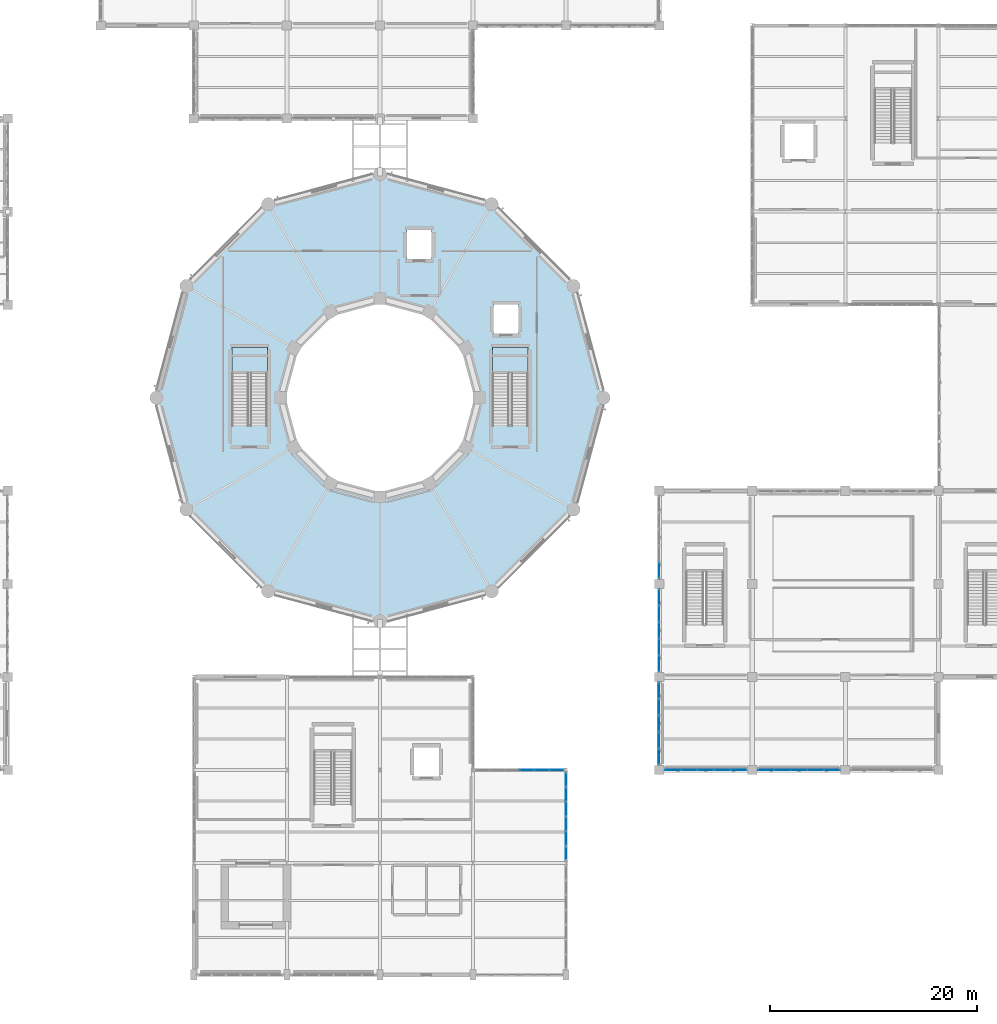
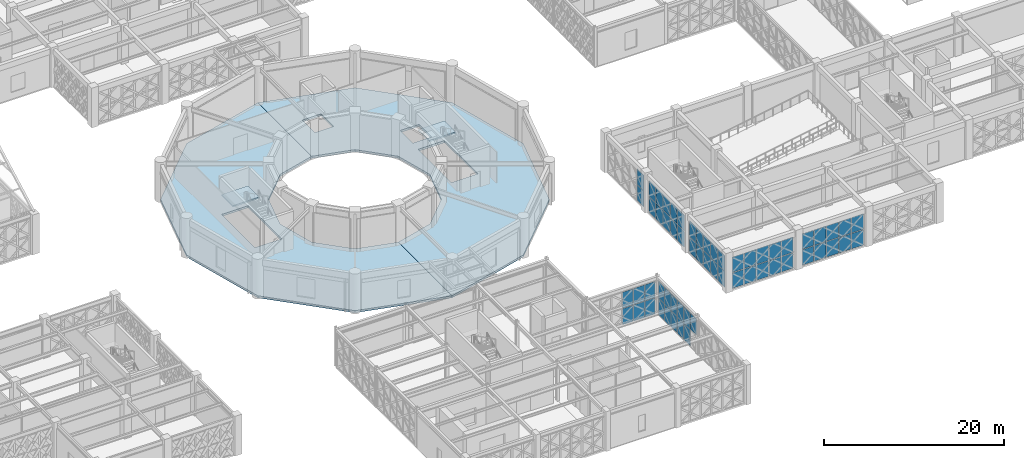
# One storey, part 128 of 166: 59 plates, 4 slabs, 9 elements without a shape of their own.
"""IFC4 building model written with IfcOpenShell, lengths in metres."""

from ifc_helpers import new_model, si_unit, direction, frame, origin, origin_2d, place, context, subcontext, project, spatial, polyline, rectangle, outline, extrude, material, layer, layer_set, type_object, element, aggregate, save


model = new_model("IFC4")

# Units and contexts
model_context = context("Model", 3, precision=1e-05, world=origin(), true_north=direction((0.0, 1.0)))
body_context = subcontext(model_context, "Body", "Model", "MODEL_VIEW")
ifc_project = project(units=[si_unit("LENGTHUNIT", "METRE"), si_unit("AREAUNIT", "SQUARE_METRE"), si_unit("VOLUMEUNIT", "CUBIC_METRE"), si_unit("PLANEANGLEUNIT", "RADIAN"), si_unit("MASSUNIT", "GRAM", prefix="KILO")], contexts=[model_context])

# Site, building, storey
site_placement = place(None, origin())
site = spatial("IfcSite", under=ifc_project, at=site_placement, CompositionType="ELEMENT")
building_placement = place(site_placement, origin())
building = spatial("IfcBuilding", under=site, at=building_placement, Name="Haizhuo Lancet Aquarium", CompositionType="ELEMENT")
storey_placement = place(building_placement, frame((0.0, 0.0, 5.39990234375)))
storey = spatial("IfcBuildingStorey", under=building, at=storey_placement, Name="L01", CompositionType="ELEMENT", Elevation=5.39990234375)

# Curtain wall, plates
ifc_material_1 = material(Name="Aluminium 6063-T6", Category="aluminium")
curtain_wall_type_1 = type_object("IfcCurtainWallType", Name="CWO-8010x4440", PredefinedType="NOTDEFINED", material=ifc_material_1)
curtain_wall_1_placement = place(storey_placement, origin())
curtain_wall_1 = element("IfcCurtainWall", 1, at=curtain_wall_1_placement, inside=storey, type_object=curtain_wall_type_1, Name="L01 curtain wall CW-V3-L01-049", PredefinedType="NOTDEFINED")
ifc_material_2 = material(Name="Laminated Low-E Glass", Category="glass")
ifc_layer_1 = layer(ifc_material_2, 0.028076171875)
ifc_layer_set_1 = layer_set([ifc_layer_1], Name="Laminated Low-E Glass")
plate_type_1 = type_object("IfcPlateType", Name="CW-PNL-1", PredefinedType="CURTAIN_PANEL", material=ifc_layer_set_1)
plate_1_placement = place(storey_placement, frame((27.0, -25.68798828125, 0.064453125), z_axis=(0.0, 0.0, 1.0), x_axis=(0.0, 1.0, 0.0)))
plate_1 = element("IfcPlate", 2, at=plate_1_placement, type_object=plate_type_1, Name="CWO-80x44 panel 1.1", PredefinedType="CURTAIN_PANEL", context=body_context, shape_type="SweptSolid", body=[
    extrude(rectangle(XDim=1.50390625, YDim=0.028076171875, at=origin_2d()), origin(), (0.0, 0.0, 1.0), 2.123046875),
])
plate_2_placement = place(storey_placement, frame((27.0, -25.68798828125, 2.253173828125), z_axis=(0.0, 0.0, 1.0), x_axis=(0.0, 1.0, 0.0)))
plate_2 = element("IfcPlate", 3, at=plate_2_placement, type_object=plate_type_1, Name="CWO-80x44 panel 1.2", PredefinedType="CURTAIN_PANEL", context=body_context, shape_type="SweptSolid", body=[
    extrude(rectangle(XDim=1.50390625, YDim=0.028076171875, at=origin_2d()), origin(), (0.0, 0.0, 1.0), 2.1220703125),
])
plate_3_placement = place(storey_placement, frame((27.0, -24.10205078125, 0.064453125), z_axis=(0.0, 0.0, 1.0), x_axis=(0.0, 1.0, 0.0)))
plate_3 = element("IfcPlate", 4, at=plate_3_placement, type_object=plate_type_1, Name="CWO-80x44 panel 2.1", PredefinedType="CURTAIN_PANEL", context=body_context, shape_type="SweptSolid", body=[
    extrude(rectangle(XDim=1.537109375, YDim=0.028076171875, at=origin_2d()), origin(), (0.0, 0.0, 1.0), 2.123046875),
])
plate_4_placement = place(storey_placement, frame((27.0, -24.10205078125, 2.253173828125), z_axis=(0.0, 0.0, 1.0), x_axis=(0.0, 1.0, 0.0)))
plate_4 = element("IfcPlate", 5, at=plate_4_placement, type_object=plate_type_1, Name="CWO-80x44 panel 2.2", PredefinedType="CURTAIN_PANEL", context=body_context, shape_type="SweptSolid", body=[
    extrude(rectangle(XDim=1.537109375, YDim=0.028076171875, at=origin_2d()), origin(), (0.0, 0.0, 1.0), 2.1220703125),
])
plate_5_placement = place(storey_placement, frame((27.0, -22.5, 0.064453125), z_axis=(0.0, 0.0, 1.0), x_axis=(0.0, 1.0, 0.0)))
plate_5 = element("IfcPlate", 6, at=plate_5_placement, type_object=plate_type_1, Name="CWO-80x44 panel 3.1", PredefinedType="CURTAIN_PANEL", context=body_context, shape_type="SweptSolid", body=[
    extrude(rectangle(XDim=1.537109375, YDim=0.028076171875, at=origin_2d()), origin(), (0.0, 0.0, 1.0), 2.123046875),
])
plate_6_placement = place(storey_placement, frame((27.0, -22.5, 2.253173828125), z_axis=(0.0, 0.0, 1.0), x_axis=(0.0, 1.0, 0.0)))
plate_6 = element("IfcPlate", 7, at=plate_6_placement, type_object=plate_type_1, Name="CWO-80x44 panel 3.2", PredefinedType="CURTAIN_PANEL", context=body_context, shape_type="SweptSolid", body=[
    extrude(rectangle(XDim=1.537109375, YDim=0.028076171875, at=origin_2d()), origin(), (0.0, 0.0, 1.0), 2.1220703125),
])
plate_7_placement = place(storey_placement, frame((27.0, -20.89794921875, 0.064453125), z_axis=(0.0, 0.0, 1.0), x_axis=(0.0, 1.0, 0.0)))
plate_7 = element("IfcPlate", 8, at=plate_7_placement, type_object=plate_type_1, Name="CWO-80x44 panel 4.1", PredefinedType="CURTAIN_PANEL", context=body_context, shape_type="SweptSolid", body=[
    extrude(rectangle(XDim=1.537109375, YDim=0.028076171875, at=origin_2d()), origin(), (0.0, 0.0, 1.0), 2.123046875),
])
plate_8_placement = place(storey_placement, frame((27.0, -20.89794921875, 2.253173828125), z_axis=(0.0, 0.0, 1.0), x_axis=(0.0, 1.0, 0.0)))
plate_8 = element("IfcPlate", 9, at=plate_8_placement, type_object=plate_type_1, Name="CWO-80x44 panel 4.2", PredefinedType="CURTAIN_PANEL", context=body_context, shape_type="SweptSolid", body=[
    extrude(rectangle(XDim=1.537109375, YDim=0.028076171875, at=origin_2d()), origin(), (0.0, 0.0, 1.0), 2.1220703125),
])
plate_9_placement = place(storey_placement, frame((27.0, -19.31201171875, 0.064453125), z_axis=(0.0, 0.0, 1.0), x_axis=(0.0, 1.0, 0.0)))
plate_9 = element("IfcPlate", 10, at=plate_9_placement, type_object=plate_type_1, Name="CWO-80x44 panel 5.1", PredefinedType="CURTAIN_PANEL", context=body_context, shape_type="SweptSolid", body=[
    extrude(rectangle(XDim=1.5048828125, YDim=0.028076171875, at=origin_2d()), origin(), (0.0, 0.0, 1.0), 2.123046875),
])
plate_10_placement = place(storey_placement, frame((27.0, -19.31201171875, 2.253173828125), z_axis=(0.0, 0.0, 1.0), x_axis=(0.0, 1.0, 0.0)))
plate_10 = element("IfcPlate", 11, at=plate_10_placement, type_object=plate_type_1, Name="CWO-80x44 panel 5.2", PredefinedType="CURTAIN_PANEL", context=body_context, shape_type="SweptSolid", body=[
    extrude(rectangle(XDim=1.5048828125, YDim=0.028076171875, at=origin_2d()), origin(), (0.0, 0.0, 1.0), 2.1220703125),
])
aggregate(curtain_wall_1, [plate_1, plate_2, plate_3, plate_4, plate_5, plate_6, plate_7, plate_8, plate_9, plate_10])

curtain_wall_type_2 = type_object("IfcCurtainWallType", Name="CWO-8010x4390", PredefinedType="NOTDEFINED", material=ifc_material_1)
curtain_wall_2_placement = place(storey_placement, origin())
curtain_wall_2 = element("IfcCurtainWall", 12, at=curtain_wall_2_placement, inside=storey, type_object=curtain_wall_type_2, Name="L01 curtain wall CW-V3-L01-046", PredefinedType="NOTDEFINED")
ifc_layer_2 = layer(ifc_material_2, 0.033935546875)
ifc_layer_set_2 = layer_set([ifc_layer_2], Name="Laminated Low-E Glass")
plate_type_2 = type_object("IfcPlateType", Name="CW-PNL-2", PredefinedType="CURTAIN_PANEL", material=ifc_layer_set_2)
plate_11_placement = place(storey_placement, frame((43.68798828125, -36.0, 0.06494140625), z_axis=(0.0, 0.0, 1.0), x_axis=(-1.0, 0.0, 0.0)))
plate_11 = element("IfcPlate", 13, at=plate_11_placement, type_object=plate_type_2, Name="CWO-80x43 panel 1.1", PredefinedType="CURTAIN_PANEL", context=body_context, shape_type="SweptSolid", body=[
    extrude(rectangle(XDim=1.5048828125, YDim=0.033935546875, at=origin_2d()), origin(), (0.0, 0.0, 1.0), 2.097900390625),
])
plate_12_placement = place(storey_placement, frame((43.68798828125, -36.0, 2.2275390625), z_axis=(0.0, 0.0, 1.0), x_axis=(-1.0, 0.0, 0.0)))
plate_12 = element("IfcPlate", 14, at=plate_12_placement, type_object=plate_type_2, Name="CWO-80x43 panel 1.2", PredefinedType="CURTAIN_PANEL", context=body_context, shape_type="SweptSolid", body=[
    extrude(rectangle(XDim=1.5048828125, YDim=0.033935546875, at=origin_2d()), origin(), (0.0, 0.0, 1.0), 2.096923828125),
])
plate_13_placement = place(storey_placement, frame((42.10205078125, -36.0, 0.06494140625), z_axis=(0.0, 0.0, 1.0), x_axis=(-1.0, 0.0, 0.0)))
plate_13 = element("IfcPlate", 15, at=plate_13_placement, type_object=plate_type_2, Name="CWO-80x43 panel 2.1", PredefinedType="CURTAIN_PANEL", context=body_context, shape_type="SweptSolid", body=[
    extrude(rectangle(XDim=1.537109375, YDim=0.033935546875, at=origin_2d()), origin(), (0.0, 0.0, 1.0), 2.097900390625),
])
plate_14_placement = place(storey_placement, frame((42.10205078125, -36.0, 2.2275390625), z_axis=(0.0, 0.0, 1.0), x_axis=(-1.0, 0.0, 0.0)))
plate_14 = element("IfcPlate", 16, at=plate_14_placement, type_object=plate_type_2, Name="CWO-80x43 panel 2.2", PredefinedType="CURTAIN_PANEL", context=body_context, shape_type="SweptSolid", body=[
    extrude(rectangle(XDim=1.537109375, YDim=0.033935546875, at=origin_2d()), origin(), (0.0, 0.0, 1.0), 2.096923828125),
])
plate_15_placement = place(storey_placement, frame((40.5, -36.0, 0.06494140625), z_axis=(0.0, 0.0, 1.0), x_axis=(-1.0, 0.0, 0.0)))
plate_15 = element("IfcPlate", 17, at=plate_15_placement, type_object=plate_type_2, Name="CWO-80x43 panel 3.1", PredefinedType="CURTAIN_PANEL", context=body_context, shape_type="SweptSolid", body=[
    extrude(rectangle(XDim=1.537109375, YDim=0.033935546875, at=origin_2d()), origin(), (0.0, 0.0, 1.0), 2.097900390625),
])
plate_16_placement = place(storey_placement, frame((40.5, -36.0, 2.2275390625), z_axis=(0.0, 0.0, 1.0), x_axis=(-1.0, 0.0, 0.0)))
plate_16 = element("IfcPlate", 18, at=plate_16_placement, type_object=plate_type_2, Name="CWO-80x43 panel 3.2", PredefinedType="CURTAIN_PANEL", context=body_context, shape_type="SweptSolid", body=[
    extrude(rectangle(XDim=1.537109375, YDim=0.033935546875, at=origin_2d()), origin(), (0.0, 0.0, 1.0), 2.096923828125),
])
plate_17_placement = place(storey_placement, frame((38.89794921875, -36.0, 0.06494140625), z_axis=(0.0, 0.0, 1.0), x_axis=(-1.0, 0.0, 0.0)))
plate_17 = element("IfcPlate", 19, at=plate_17_placement, type_object=plate_type_2, Name="CWO-80x43 panel 4.1", PredefinedType="CURTAIN_PANEL", context=body_context, shape_type="SweptSolid", body=[
    extrude(rectangle(XDim=1.537109375, YDim=0.033935546875, at=origin_2d()), origin(), (0.0, 0.0, 1.0), 2.097900390625),
])
plate_18_placement = place(storey_placement, frame((38.89794921875, -36.0, 2.2275390625), z_axis=(0.0, 0.0, 1.0), x_axis=(-1.0, 0.0, 0.0)))
plate_18 = element("IfcPlate", 20, at=plate_18_placement, type_object=plate_type_2, Name="CWO-80x43 panel 4.2", PredefinedType="CURTAIN_PANEL", context=body_context, shape_type="SweptSolid", body=[
    extrude(rectangle(XDim=1.537109375, YDim=0.033935546875, at=origin_2d()), origin(), (0.0, 0.0, 1.0), 2.096923828125),
])
plate_19_placement = place(storey_placement, frame((37.31201171875, -36.0, 0.06494140625), z_axis=(0.0, 0.0, 1.0), x_axis=(-1.0, 0.0, 0.0)))
plate_19 = element("IfcPlate", 21, at=plate_19_placement, type_object=plate_type_2, Name="CWO-80x43 panel 5.1", PredefinedType="CURTAIN_PANEL", context=body_context, shape_type="SweptSolid", body=[
    extrude(rectangle(XDim=1.5048828125, YDim=0.033935546875, at=origin_2d()), origin(), (0.0, 0.0, 1.0), 2.097900390625),
])
plate_20_placement = place(storey_placement, frame((37.31201171875, -36.0, 2.2275390625), z_axis=(0.0, 0.0, 1.0), x_axis=(-1.0, 0.0, 0.0)))
plate_20 = element("IfcPlate", 22, at=plate_20_placement, type_object=plate_type_2, Name="CWO-80x43 panel 5.2", PredefinedType="CURTAIN_PANEL", context=body_context, shape_type="SweptSolid", body=[
    extrude(rectangle(XDim=1.5048828125, YDim=0.033935546875, at=origin_2d()), origin(), (0.0, 0.0, 1.0), 2.096923828125),
])
aggregate(curtain_wall_2, [plate_11, plate_12, plate_13, plate_14, plate_15, plate_16, plate_17, plate_18, plate_19, plate_20])

curtain_wall_3_placement = place(storey_placement, origin())
curtain_wall_3 = element("IfcCurtainWall", 23, at=curtain_wall_3_placement, inside=storey, type_object=curtain_wall_type_1, Name="L01 curtain wall CW-V3-L01-050", PredefinedType="NOTDEFINED")
plate_21_placement = place(storey_placement, frame((27.0, -16.68505859375, 0.0751953125), z_axis=(0.0, 0.0, 1.0), x_axis=(0.0, 1.0, 0.0)))
plate_21 = element("IfcPlate", 24, at=plate_21_placement, type_object=plate_type_2, Name="CWO-80x44 panel 1.1", PredefinedType="CURTAIN_PANEL", context=body_context, shape_type="SweptSolid", body=[
    extrude(rectangle(XDim=1.489013671875, YDim=0.033935546875, at=origin_2d()), origin(), (0.0, 0.0, 1.0), 2.10791015625),
])
plate_22_placement = place(storey_placement, frame((27.0, -16.68505859375, 2.257080078125), z_axis=(0.0, 0.0, 1.0), x_axis=(0.0, 1.0, 0.0)))
plate_22 = element("IfcPlate", 25, at=plate_22_placement, type_object=plate_type_2, Name="CWO-80x44 panel 1.2", PredefinedType="CURTAIN_PANEL", context=body_context, shape_type="SweptSolid", body=[
    extrude(rectangle(XDim=1.489013671875, YDim=0.033935546875, at=origin_2d()), origin(), (0.0, 0.0, 1.0), 2.10791015625),
])
aggregate(curtain_wall_3, [plate_21, plate_22])

curtain_wall_type_3 = type_object("IfcCurtainWallType", Name="CWO-8560x4550", PredefinedType="NOTDEFINED", material=ifc_material_1)
curtain_wall_4_placement = place(storey_placement, origin())
curtain_wall_4 = element("IfcCurtainWall", 26, at=curtain_wall_4_placement, inside=storey, type_object=curtain_wall_type_3, Name="L01 curtain wall CW-V4-L01-094", PredefinedType="NOTDEFINED")
plate_23_placement = place(storey_placement, frame((14.212890625, -36.0, 0.064453125), z_axis=(0.0, 0.0, 1.0), x_axis=(1.0, 0.0, 0.0)))
plate_23 = element("IfcPlate", 27, at=plate_23_placement, type_object=plate_type_2, Name="CWO-85x45 panel 4.1", PredefinedType="CURTAIN_PANEL", context=body_context, shape_type="SweptSolid", body=[
    extrude(rectangle(XDim=1.362060546875, YDim=0.033935546875, at=origin_2d()), origin(), (0.0, 0.0, 1.0), 2.178955078125),
])
plate_24_placement = place(storey_placement, frame((14.212890625, -36.0, 2.30908203125), z_axis=(0.0, 0.0, 1.0), x_axis=(1.0, 0.0, 0.0)))
plate_24 = element("IfcPlate", 28, at=plate_24_placement, type_object=plate_type_2, Name="CWO-85x45 panel 4.2", PredefinedType="CURTAIN_PANEL", context=body_context, shape_type="SweptSolid", body=[
    extrude(rectangle(XDim=1.362060546875, YDim=0.033935546875, at=origin_2d()), origin(), (0.0, 0.0, 1.0), 2.177978515625),
])
plate_25_placement = place(storey_placement, frame((15.639892578125, -36.0, 0.064453125), z_axis=(0.0, 0.0, 1.0), x_axis=(1.0, 0.0, 0.0)))
plate_25 = element("IfcPlate", 29, at=plate_25_placement, type_object=plate_type_2, Name="CWO-85x45 panel 5.1", PredefinedType="CURTAIN_PANEL", context=body_context, shape_type="SweptSolid", body=[
    extrude(rectangle(XDim=1.362060546875, YDim=0.033935546875, at=origin_2d()), origin(), (0.0, 0.0, 1.0), 2.178955078125),
])
plate_26_placement = place(storey_placement, frame((15.639892578125, -36.0, 2.30908203125), z_axis=(0.0, 0.0, 1.0), x_axis=(1.0, 0.0, 0.0)))
plate_26 = element("IfcPlate", 30, at=plate_26_placement, type_object=plate_type_2, Name="CWO-85x45 panel 5.2", PredefinedType="CURTAIN_PANEL", context=body_context, shape_type="SweptSolid", body=[
    extrude(rectangle(XDim=1.362060546875, YDim=0.033935546875, at=origin_2d()), origin(), (0.0, 0.0, 1.0), 2.177978515625),
])
plate_27_placement = place(storey_placement, frame((17.050048828125, -36.0, 0.064453125), z_axis=(0.0, 0.0, 1.0), x_axis=(1.0, 0.0, 0.0)))
plate_27 = element("IfcPlate", 31, at=plate_27_placement, type_object=plate_type_2, Name="CWO-85x45 panel 6.1", PredefinedType="CURTAIN_PANEL", context=body_context, shape_type="SweptSolid", body=[
    extrude(rectangle(XDim=1.3291015625, YDim=0.033935546875, at=origin_2d()), origin(), (0.0, 0.0, 1.0), 2.178955078125),
])
plate_28_placement = place(storey_placement, frame((17.050048828125, -36.0, 2.30908203125), z_axis=(0.0, 0.0, 1.0), x_axis=(1.0, 0.0, 0.0)))
plate_28 = element("IfcPlate", 32, at=plate_28_placement, type_object=plate_type_2, Name="CWO-85x45 panel 6.2", PredefinedType="CURTAIN_PANEL", context=body_context, shape_type="SweptSolid", body=[
    extrude(rectangle(XDim=1.3291015625, YDim=0.033935546875, at=origin_2d()), origin(), (0.0, 0.0, 1.0), 2.177978515625),
])
aggregate(curtain_wall_4, [plate_23, plate_24, plate_25, plate_26, plate_27, plate_28])

curtain_wall_5_placement = place(storey_placement, origin())
curtain_wall_5 = element("IfcCurtainWall", 33, at=curtain_wall_5_placement, inside=storey, type_object=curtain_wall_type_2, Name="L01 curtain wall CW-V3-L01-047", PredefinedType="NOTDEFINED")
ifc_layer_3 = layer(ifc_material_2, 0.0419921875)
ifc_layer_set_3 = layer_set([ifc_layer_3], Name="Laminated Low-E Glass")
plate_type_3 = type_object("IfcPlateType", Name="CW-PNL-3", PredefinedType="CURTAIN_PANEL", material=ifc_layer_set_3)
plate_29_placement = place(storey_placement, frame((34.68505859375, -36.0, 0.07470703125), z_axis=(0.0, 0.0, 1.0), x_axis=(-1.0, 0.0, 0.0)))
plate_29 = element("IfcPlate", 34, at=plate_29_placement, type_object=plate_type_3, Name="CWO-80x43 panel 1.1", PredefinedType="CURTAIN_PANEL", context=body_context, shape_type="SweptSolid", body=[
    extrude(rectangle(XDim=1.489990234375, YDim=0.0419921875, at=origin_2d()), origin(), (0.0, 0.0, 1.0), 2.0830078125),
])
plate_30_placement = place(storey_placement, frame((34.68505859375, -36.0, 2.232666015625), z_axis=(0.0, 0.0, 1.0), x_axis=(-1.0, 0.0, 0.0)))
plate_30 = element("IfcPlate", 35, at=plate_30_placement, type_object=plate_type_3, Name="CWO-80x43 panel 1.2", PredefinedType="CURTAIN_PANEL", context=body_context, shape_type="SweptSolid", body=[
    extrude(rectangle(XDim=1.489990234375, YDim=0.0419921875, at=origin_2d()), origin(), (0.0, 0.0, 1.0), 2.0830078125),
])
plate_31_placement = place(storey_placement, frame((33.10205078125, -36.0, 0.07470703125), z_axis=(0.0, 0.0, 1.0), x_axis=(-1.0, 0.0, 0.0)))
plate_31 = element("IfcPlate", 36, at=plate_31_placement, type_object=plate_type_3, Name="CWO-80x43 panel 2.1", PredefinedType="CURTAIN_PANEL", context=body_context, shape_type="SweptSolid", body=[
    extrude(rectangle(XDim=1.527099609375, YDim=0.0419921875, at=origin_2d()), origin(), (0.0, 0.0, 1.0), 2.0830078125),
])
plate_32_placement = place(storey_placement, frame((33.10205078125, -36.0, 2.232666015625), z_axis=(0.0, 0.0, 1.0), x_axis=(-1.0, 0.0, 0.0)))
plate_32 = element("IfcPlate", 37, at=plate_32_placement, type_object=plate_type_3, Name="CWO-80x43 panel 2.2", PredefinedType="CURTAIN_PANEL", context=body_context, shape_type="SweptSolid", body=[
    extrude(rectangle(XDim=1.527099609375, YDim=0.0419921875, at=origin_2d()), origin(), (0.0, 0.0, 1.0), 2.0830078125),
])
plate_33_placement = place(storey_placement, frame((31.5, -36.0, 0.07470703125), z_axis=(0.0, 0.0, 1.0), x_axis=(-1.0, 0.0, 0.0)))
plate_33 = element("IfcPlate", 38, at=plate_33_placement, type_object=plate_type_3, Name="CWO-80x43 panel 3.1", PredefinedType="CURTAIN_PANEL", context=body_context, shape_type="SweptSolid", body=[
    extrude(rectangle(XDim=1.527099609375, YDim=0.0419921875, at=origin_2d()), origin(), (0.0, 0.0, 1.0), 2.0830078125),
])
plate_34_placement = place(storey_placement, frame((31.5, -36.0, 2.232666015625), z_axis=(0.0, 0.0, 1.0), x_axis=(-1.0, 0.0, 0.0)))
plate_34 = element("IfcPlate", 39, at=plate_34_placement, type_object=plate_type_3, Name="CWO-80x43 panel 3.2", PredefinedType="CURTAIN_PANEL", context=body_context, shape_type="SweptSolid", body=[
    extrude(rectangle(XDim=1.527099609375, YDim=0.0419921875, at=origin_2d()), origin(), (0.0, 0.0, 1.0), 2.0830078125),
])
plate_35_placement = place(storey_placement, frame((29.89794921875, -36.0, 0.07470703125), z_axis=(0.0, 0.0, 1.0), x_axis=(-1.0, 0.0, 0.0)))
plate_35 = element("IfcPlate", 40, at=plate_35_placement, type_object=plate_type_3, Name="CWO-80x43 panel 4.1", PredefinedType="CURTAIN_PANEL", context=body_context, shape_type="SweptSolid", body=[
    extrude(rectangle(XDim=1.527099609375, YDim=0.0419921875, at=origin_2d()), origin(), (0.0, 0.0, 1.0), 2.0830078125),
])
plate_36_placement = place(storey_placement, frame((29.89794921875, -36.0, 2.232666015625), z_axis=(0.0, 0.0, 1.0), x_axis=(-1.0, 0.0, 0.0)))
plate_36 = element("IfcPlate", 41, at=plate_36_placement, type_object=plate_type_3, Name="CWO-80x43 panel 4.2", PredefinedType="CURTAIN_PANEL", context=body_context, shape_type="SweptSolid", body=[
    extrude(rectangle(XDim=1.527099609375, YDim=0.0419921875, at=origin_2d()), origin(), (0.0, 0.0, 1.0), 2.0830078125),
])
plate_37_placement = place(storey_placement, frame((28.31494140625, -36.0, 0.07470703125), z_axis=(0.0, 0.0, 1.0), x_axis=(-1.0, 0.0, 0.0)))
plate_37 = element("IfcPlate", 42, at=plate_37_placement, type_object=plate_type_3, Name="CWO-80x43 panel 5.1", PredefinedType="CURTAIN_PANEL", context=body_context, shape_type="SweptSolid", body=[
    extrude(rectangle(XDim=1.489990234375, YDim=0.0419921875, at=origin_2d()), origin(), (0.0, 0.0, 1.0), 2.0830078125),
])
plate_38_placement = place(storey_placement, frame((28.31494140625, -36.0, 2.232666015625), z_axis=(0.0, 0.0, 1.0), x_axis=(-1.0, 0.0, 0.0)))
plate_38 = element("IfcPlate", 43, at=plate_38_placement, type_object=plate_type_3, Name="CWO-80x43 panel 5.2", PredefinedType="CURTAIN_PANEL", context=body_context, shape_type="SweptSolid", body=[
    extrude(rectangle(XDim=1.489990234375, YDim=0.0419921875, at=origin_2d()), origin(), (0.0, 0.0, 1.0), 2.0830078125),
])
aggregate(curtain_wall_5, [plate_29, plate_30, plate_31, plate_32, plate_33, plate_34, plate_35, plate_36, plate_37, plate_38])

curtain_wall_type_4 = type_object("IfcCurtainWallType", Name="CWO-8560x4650", PredefinedType="NOTDEFINED", material=ifc_material_1)
curtain_wall_6_placement = place(storey_placement, origin())
curtain_wall_6 = element("IfcCurtainWall", 44, at=curtain_wall_6_placement, inside=storey, type_object=curtain_wall_type_4, Name="L01 curtain wall CW-V4-L01-095", PredefinedType="NOTDEFINED")
plate_39_placement = place(storey_placement, frame((18.0, -36.951904296875, 0.0751953125), z_axis=(0.0, 0.0, 1.0), x_axis=(0.0, -1.0, 0.0)))
plate_39 = element("IfcPlate", 45, at=plate_39_placement, type_object=plate_type_3, Name="CWO-85x46 panel 1.1", PredefinedType="CURTAIN_PANEL", context=body_context, shape_type="SweptSolid", body=[
    extrude(rectangle(XDim=1.31396484375, YDim=0.0419921875, at=origin_2d()), origin(), (0.0, 0.0, 1.0), 2.214111328125),
])
plate_40_placement = place(storey_placement, frame((18.0, -36.951904296875, 2.36328125), z_axis=(0.0, 0.0, 1.0), x_axis=(0.0, -1.0, 0.0)))
plate_40 = element("IfcPlate", 46, at=plate_40_placement, type_object=plate_type_3, Name="CWO-85x46 panel 1.2", PredefinedType="CURTAIN_PANEL", context=body_context, shape_type="SweptSolid", body=[
    extrude(rectangle(XDim=1.31396484375, YDim=0.0419921875, at=origin_2d()), origin(), (0.0, 0.0, 1.0), 2.214111328125),
])
plate_41_placement = place(storey_placement, frame((18.0, -38.360107421875, 0.0751953125), z_axis=(0.0, 0.0, 1.0), x_axis=(0.0, -1.0, 0.0)))
plate_41 = element("IfcPlate", 47, at=plate_41_placement, type_object=plate_type_3, Name="CWO-85x46 panel 2.1", PredefinedType="CURTAIN_PANEL", context=body_context, shape_type="SweptSolid", body=[
    extrude(rectangle(XDim=1.35205078125, YDim=0.0419921875, at=origin_2d()), origin(), (0.0, 0.0, 1.0), 2.214111328125),
])
plate_42_placement = place(storey_placement, frame((18.0, -38.360107421875, 2.36328125), z_axis=(0.0, 0.0, 1.0), x_axis=(0.0, -1.0, 0.0)))
plate_42 = element("IfcPlate", 48, at=plate_42_placement, type_object=plate_type_3, Name="CWO-85x46 panel 2.2", PredefinedType="CURTAIN_PANEL", context=body_context, shape_type="SweptSolid", body=[
    extrude(rectangle(XDim=1.35205078125, YDim=0.0419921875, at=origin_2d()), origin(), (0.0, 0.0, 1.0), 2.214111328125),
])
plate_43_placement = place(storey_placement, frame((18.0, -39.787109375, 0.0751953125), z_axis=(0.0, 0.0, 1.0), x_axis=(0.0, -1.0, 0.0)))
plate_43 = element("IfcPlate", 49, at=plate_43_placement, type_object=plate_type_3, Name="CWO-85x46 panel 3.1", PredefinedType="CURTAIN_PANEL", context=body_context, shape_type="SweptSolid", body=[
    extrude(rectangle(XDim=1.35205078125, YDim=0.0419921875, at=origin_2d()), origin(), (0.0, 0.0, 1.0), 2.214111328125),
])
plate_44_placement = place(storey_placement, frame((18.0, -39.787109375, 2.36328125), z_axis=(0.0, 0.0, 1.0), x_axis=(0.0, -1.0, 0.0)))
plate_44 = element("IfcPlate", 50, at=plate_44_placement, type_object=plate_type_3, Name="CWO-85x46 panel 3.2", PredefinedType="CURTAIN_PANEL", context=body_context, shape_type="SweptSolid", body=[
    extrude(rectangle(XDim=1.35205078125, YDim=0.0419921875, at=origin_2d()), origin(), (0.0, 0.0, 1.0), 2.214111328125),
])
plate_45_placement = place(storey_placement, frame((18.0, -41.212890625, 0.0751953125), z_axis=(0.0, 0.0, 1.0), x_axis=(0.0, -1.0, 0.0)))
plate_45 = element("IfcPlate", 51, at=plate_45_placement, type_object=plate_type_3, Name="CWO-85x46 panel 4.1", PredefinedType="CURTAIN_PANEL", context=body_context, shape_type="SweptSolid", body=[
    extrude(rectangle(XDim=1.35205078125, YDim=0.0419921875, at=origin_2d()), origin(), (0.0, 0.0, 1.0), 2.214111328125),
])
plate_46_placement = place(storey_placement, frame((18.0, -41.212890625, 2.36328125), z_axis=(0.0, 0.0, 1.0), x_axis=(0.0, -1.0, 0.0)))
plate_46 = element("IfcPlate", 52, at=plate_46_placement, type_object=plate_type_3, Name="CWO-85x46 panel 4.2", PredefinedType="CURTAIN_PANEL", context=body_context, shape_type="SweptSolid", body=[
    extrude(rectangle(XDim=1.35205078125, YDim=0.0419921875, at=origin_2d()), origin(), (0.0, 0.0, 1.0), 2.214111328125),
])
plate_47_placement = place(storey_placement, frame((18.0, -42.639892578125, 0.0751953125), z_axis=(0.0, 0.0, 1.0), x_axis=(0.0, -1.0, 0.0)))
plate_47 = element("IfcPlate", 53, at=plate_47_placement, type_object=plate_type_3, Name="CWO-85x46 panel 5.1", PredefinedType="CURTAIN_PANEL", context=body_context, shape_type="SweptSolid", body=[
    extrude(rectangle(XDim=1.35205078125, YDim=0.0419921875, at=origin_2d()), origin(), (0.0, 0.0, 1.0), 2.214111328125),
])
plate_48_placement = place(storey_placement, frame((18.0, -42.639892578125, 2.36328125), z_axis=(0.0, 0.0, 1.0), x_axis=(0.0, -1.0, 0.0)))
plate_48 = element("IfcPlate", 54, at=plate_48_placement, type_object=plate_type_3, Name="CWO-85x46 panel 5.2", PredefinedType="CURTAIN_PANEL", context=body_context, shape_type="SweptSolid", body=[
    extrude(rectangle(XDim=1.35205078125, YDim=0.0419921875, at=origin_2d()), origin(), (0.0, 0.0, 1.0), 2.214111328125),
])
plate_49_placement = place(storey_placement, frame((18.0, -44.048095703125, 2.36328125), z_axis=(0.0, 0.0, 1.0), x_axis=(0.0, -1.0, 0.0)))
plate_49 = element("IfcPlate", 55, at=plate_49_placement, type_object=plate_type_3, Name="CWO-85x46 panel 6.2", PredefinedType="CURTAIN_PANEL", context=body_context, shape_type="SweptSolid", body=[
    extrude(rectangle(XDim=1.31396484375, YDim=0.0419921875, at=origin_2d()), origin(), (0.0, 0.0, 1.0), 2.214111328125),
])
aggregate(curtain_wall_6, [plate_39, plate_40, plate_41, plate_42, plate_43, plate_44, plate_45, plate_46, plate_47, plate_48, plate_49])

curtain_wall_7_placement = place(storey_placement, origin())
curtain_wall_7 = element("IfcCurtainWall", 56, at=curtain_wall_7_placement, inside=storey, type_object=curtain_wall_type_1, Name="L01 curtain wall CW-V3-L01-048", PredefinedType="NOTDEFINED")
ifc_layer_4 = layer(ifc_material_2, 0.052001953125)
ifc_layer_set_4 = layer_set([ifc_layer_4], Name="Laminated Low-E Glass")
plate_type_4 = type_object("IfcPlateType", Name="CW-PNL-4", PredefinedType="CURTAIN_PANEL", material=ifc_layer_set_4)
plate_50_placement = place(storey_placement, frame((27.0, -34.68408203125, 0.080078125), z_axis=(0.0, 0.0, 1.0), x_axis=(0.0, 1.0, 0.0)))
plate_50 = element("IfcPlate", 57, at=plate_50_placement, type_object=plate_type_4, Name="CWO-80x44 panel 1.1", PredefinedType="CURTAIN_PANEL", context=body_context, shape_type="SweptSolid", body=[
    extrude(rectangle(XDim=1.48193359375, YDim=0.052001953125, at=origin_2d()), origin(), (0.0, 0.0, 1.0), 2.10009765625),
])
plate_51_placement = place(storey_placement, frame((27.0, -34.68408203125, 2.260009765625), z_axis=(0.0, 0.0, 1.0), x_axis=(0.0, 1.0, 0.0)))
plate_51 = element("IfcPlate", 58, at=plate_51_placement, type_object=plate_type_4, Name="CWO-80x44 panel 1.2", PredefinedType="CURTAIN_PANEL", context=body_context, shape_type="SweptSolid", body=[
    extrude(rectangle(XDim=1.48193359375, YDim=0.052001953125, at=origin_2d()), origin(), (0.0, 0.0, 1.0), 2.10009765625),
])
plate_52_placement = place(storey_placement, frame((27.0, -33.10205078125, 0.080078125), z_axis=(0.0, 0.0, 1.0), x_axis=(0.0, 1.0, 0.0)))
plate_52 = element("IfcPlate", 59, at=plate_52_placement, type_object=plate_type_4, Name="CWO-80x44 panel 2.1", PredefinedType="CURTAIN_PANEL", context=body_context, shape_type="SweptSolid", body=[
    extrude(rectangle(XDim=1.52197265625, YDim=0.052001953125, at=origin_2d()), origin(), (0.0, 0.0, 1.0), 2.10009765625),
])
plate_53_placement = place(storey_placement, frame((27.0, -33.10205078125, 2.260009765625), z_axis=(0.0, 0.0, 1.0), x_axis=(0.0, 1.0, 0.0)))
plate_53 = element("IfcPlate", 60, at=plate_53_placement, type_object=plate_type_4, Name="CWO-80x44 panel 2.2", PredefinedType="CURTAIN_PANEL", context=body_context, shape_type="SweptSolid", body=[
    extrude(rectangle(XDim=1.52197265625, YDim=0.052001953125, at=origin_2d()), origin(), (0.0, 0.0, 1.0), 2.10009765625),
])
plate_54_placement = place(storey_placement, frame((27.0, -31.5, 0.080078125), z_axis=(0.0, 0.0, 1.0), x_axis=(0.0, 1.0, 0.0)))
plate_54 = element("IfcPlate", 61, at=plate_54_placement, type_object=plate_type_4, Name="CWO-80x44 panel 3.1", PredefinedType="CURTAIN_PANEL", context=body_context, shape_type="SweptSolid", body=[
    extrude(rectangle(XDim=1.52197265625, YDim=0.052001953125, at=origin_2d()), origin(), (0.0, 0.0, 1.0), 2.10009765625),
])
plate_55_placement = place(storey_placement, frame((27.0, -31.5, 2.260009765625), z_axis=(0.0, 0.0, 1.0), x_axis=(0.0, 1.0, 0.0)))
plate_55 = element("IfcPlate", 62, at=plate_55_placement, type_object=plate_type_4, Name="CWO-80x44 panel 3.2", PredefinedType="CURTAIN_PANEL", context=body_context, shape_type="SweptSolid", body=[
    extrude(rectangle(XDim=1.52197265625, YDim=0.052001953125, at=origin_2d()), origin(), (0.0, 0.0, 1.0), 2.10009765625),
])
plate_56_placement = place(storey_placement, frame((27.0, -29.89794921875, 0.080078125), z_axis=(0.0, 0.0, 1.0), x_axis=(0.0, 1.0, 0.0)))
plate_56 = element("IfcPlate", 63, at=plate_56_placement, type_object=plate_type_4, Name="CWO-80x44 panel 4.1", PredefinedType="CURTAIN_PANEL", context=body_context, shape_type="SweptSolid", body=[
    extrude(rectangle(XDim=1.52197265625, YDim=0.052001953125, at=origin_2d()), origin(), (0.0, 0.0, 1.0), 2.10009765625),
])
plate_57_placement = place(storey_placement, frame((27.0, -29.89794921875, 2.260009765625), z_axis=(0.0, 0.0, 1.0), x_axis=(0.0, 1.0, 0.0)))
plate_57 = element("IfcPlate", 64, at=plate_57_placement, type_object=plate_type_4, Name="CWO-80x44 panel 4.2", PredefinedType="CURTAIN_PANEL", context=body_context, shape_type="SweptSolid", body=[
    extrude(rectangle(XDim=1.52197265625, YDim=0.052001953125, at=origin_2d()), origin(), (0.0, 0.0, 1.0), 2.10009765625),
])
plate_58_placement = place(storey_placement, frame((27.0, -28.31591796875, 0.080078125), z_axis=(0.0, 0.0, 1.0), x_axis=(0.0, 1.0, 0.0)))
plate_58 = element("IfcPlate", 65, at=plate_58_placement, type_object=plate_type_4, Name="CWO-80x44 panel 5.1", PredefinedType="CURTAIN_PANEL", context=body_context, shape_type="SweptSolid", body=[
    extrude(rectangle(XDim=1.48193359375, YDim=0.052001953125, at=origin_2d()), origin(), (0.0, 0.0, 1.0), 2.10009765625),
])
plate_59_placement = place(storey_placement, frame((27.0, -28.31591796875, 2.260009765625), z_axis=(0.0, 0.0, 1.0), x_axis=(0.0, 1.0, 0.0)))
plate_59 = element("IfcPlate", 66, at=plate_59_placement, type_object=plate_type_4, Name="CWO-80x44 panel 5.2", PredefinedType="CURTAIN_PANEL", context=body_context, shape_type="SweptSolid", body=[
    extrude(rectangle(XDim=1.48193359375, YDim=0.052001953125, at=origin_2d()), origin(), (0.0, 0.0, 1.0), 2.10009765625),
])
aggregate(curtain_wall_7, [plate_50, plate_51, plate_52, plate_53, plate_54, plate_55, plate_56, plate_57, plate_58, plate_59])

# Slabs
ifc_material_3 = material(Name="Concrete C40/50", Category="concrete")
ifc_layer_5 = layer(ifc_material_3, 0.280029296875)
ifc_layer_set_5 = layer_set([ifc_layer_5], Name="Concrete C40/50")
slab_type_1 = type_object("IfcSlabType", Name="SLB-HEAVY-280", PredefinedType="FLOOR", material=ifc_layer_set_5)
slab_1_placement = place(storey_placement, frame((0.0, 0.0, -0.27978515625)))
element("IfcSlab", 67, at=slab_1_placement, inside=storey, type_object=slab_type_1, Name="L01 structural slab SL-L01-V1-01", PredefinedType="FLOOR", context=body_context, shape_type="SweptSolid", body=[
    extrude(outline(polyline([(-18.7060546875, 10.800048828125), (-21.60009765625, 0.0), (-18.7060546875, -10.800048828125), (-10.800048828125, -18.7060546875), (0.0, -21.60009765625), (0.0, -9.60009765625), (-4.800048828125, -8.31396484375), (-8.31396484375, -4.800048828125), (-9.60009765625, 0.0), (-8.31396484375, 4.800048828125), (-4.800048828125, 8.31396484375), (0.0, 9.60009765625), (0.0, 21.60009765625), (-10.800048828125, 18.7060546875), (-18.7060546875, 10.800048828125)]), holes=[polyline([(-14.300048828125, -2.570068359375), (-10.89990234375, -2.570068359375), (-10.89990234375, 4.85009765625), (-14.300048828125, 4.85009765625), (-14.300048828125, -2.570068359375)])]), origin(), (0.0, 0.0, 1.0), 0.27978515625),
])
slab_2_placement = place(storey_placement, frame((0.0, 0.0, -0.27978515625)))
element("IfcSlab", 68, at=slab_2_placement, inside=storey, type_object=slab_type_1, Name="L01 structural slab SL-L01-V1-02", PredefinedType="FLOOR", context=body_context, shape_type="SweptSolid", body=[
    extrude(outline(polyline([(0.0, 21.60009765625), (0.0, 9.60009765625), (4.800048828125, 8.31396484375), (8.31396484375, 4.800048828125), (9.60009765625, 0.0), (8.31396484375, -4.800048828125), (4.800048828125, -8.31396484375), (0.0, -9.60009765625), (0.0, -21.60009765625), (10.800048828125, -18.7060546875), (18.7060546875, -10.800048828125), (21.60009765625, 0.0), (18.7060546875, 10.800048828125), (10.800048828125, 18.7060546875), (0.0, 21.60009765625)]), holes=[polyline([(10.89990234375, 4.85009765625), (10.89990234375, -2.570068359375), (14.300048828125, -2.570068359375), (14.300048828125, 4.85009765625), (10.89990234375, 4.85009765625)]), polyline([(5.0, 16.199951171875), (2.60009765625, 16.199951171875), (2.60009765625, 13.39990234375), (5.0, 13.39990234375), (5.0, 16.199951171875)]), polyline([(11.0, 9.0), (11.0, 6.199951171875), (13.39990234375, 6.199951171875), (13.39990234375, 9.0), (11.0, 9.0)])]), origin(), (0.0, 0.0, 1.0), 0.27978515625),
])

# Stair, slab
stair_type = type_object("IfcStairType", Name="STR-HT-1600-54", PredefinedType="HALF_TURN_STAIR", material=ifc_material_3)
stair_1_placement = place(storey_placement, origin())
stair_1 = element("IfcStair", 69, at=stair_1_placement, inside=storey, type_object=stair_type, Name="L01 enclosed exit stair ST-01", PredefinedType="HALF_TURN_STAIR")
ifc_layer_6 = layer(ifc_material_3, 0.199951171875)
ifc_layer_set_6 = layer_set([ifc_layer_6], Name="Concrete C40/50")
slab_type_2 = type_object("IfcSlabType", Name="SLB-LND-1600", PredefinedType="LANDING", material=ifc_layer_set_6)
slab_3_placement = place(storey_placement, frame((0.0, 0.0, 2.5)))
slab_3 = element("IfcSlab", 70, at=slab_3_placement, type_object=slab_type_2, Name="ST-15 landing 1", PredefinedType="LANDING", context=body_context, shape_type="SweptSolid", body=[
    extrude(outline(polyline([(-10.89990234375, 2.35009765625), (-10.89990234375, 4.85009765625), (-14.300048828125, 4.85009765625), (-14.300048828125, 2.35009765625), (-10.89990234375, 2.35009765625)])), origin(), (0.0, 0.0, 1.0), 0.2001953125),
])
aggregate(stair_1, [slab_3])

stair_2_placement = place(storey_placement, origin())
stair_2 = element("IfcStair", 71, at=stair_2_placement, inside=storey, type_object=stair_type, Name="L01 enclosed exit stair ST-02", PredefinedType="HALF_TURN_STAIR")
slab_4_placement = place(storey_placement, frame((0.0, 0.0, 2.5)))
slab_4 = element("IfcSlab", 72, at=slab_4_placement, type_object=slab_type_2, Name="ST-15 landing 1", PredefinedType="LANDING", context=body_context, shape_type="SweptSolid", body=[
    extrude(outline(polyline([(14.300048828125, 2.35009765625), (14.300048828125, 4.85009765625), (10.89990234375, 4.85009765625), (10.89990234375, 2.35009765625), (14.300048828125, 2.35009765625)])), origin(), (0.0, 0.0, 1.0), 0.2001953125),
])
aggregate(stair_2, [slab_4])

save(model, "model.ifc")
